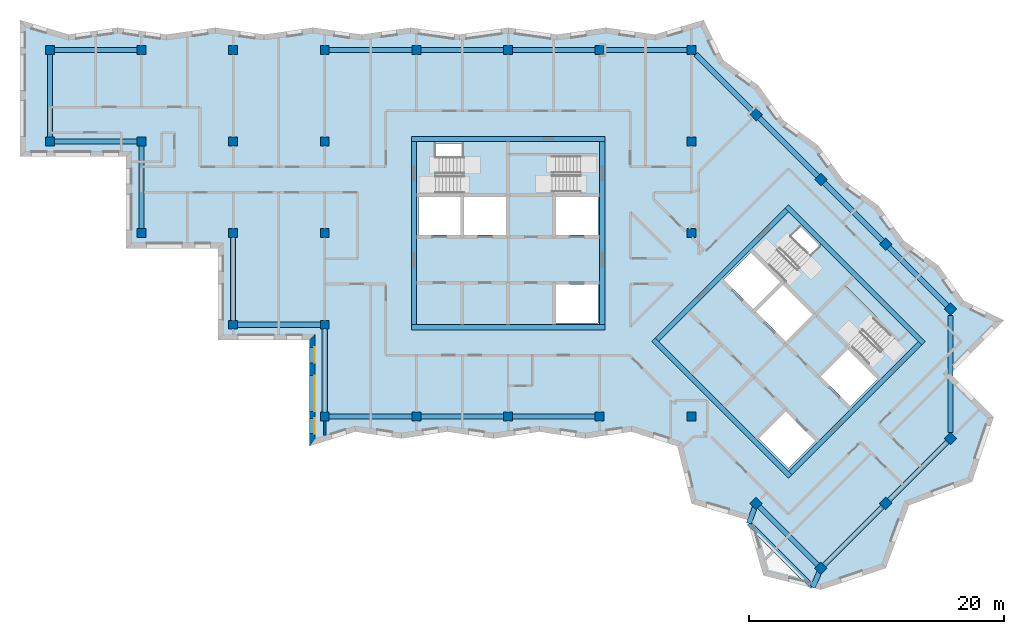
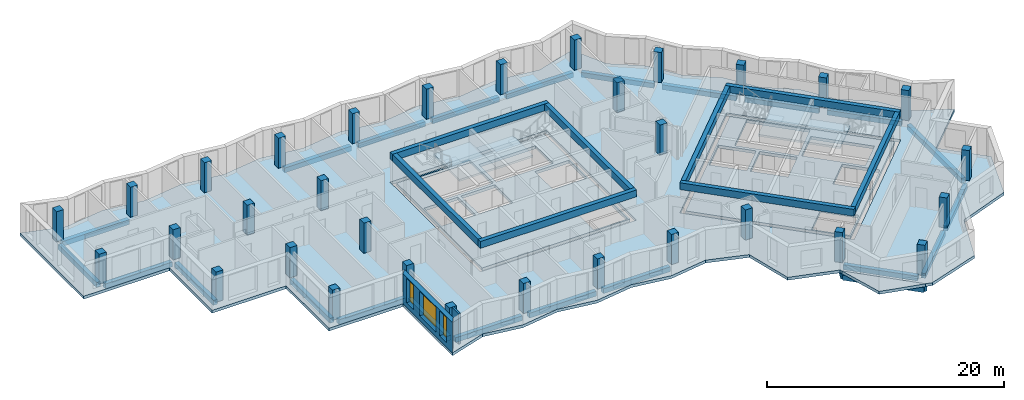
# One storey, part 1 of 11: 33 beams, 32 columns, 8 slabs, 3 windows, 2 walls, 17 openings, 4 elements without a shape of their own.
"""IFC4 building model written with IfcOpenShell, lengths in metres."""

from ifc_helpers import new_model, si_unit, direction, frame, frame_2d, origin, origin_2d, place, context, subcontext, project, spatial, polyline, rectangle, outline, extrude, material, layer, layer_set, material_profile, profile_set, type_object, element, fill, aggregate, save


model = new_model("IFC4")

# Units and contexts
model_context = context("Model", 3, precision=1e-05, world=origin(), true_north=direction((0.0, 1.0)))
body_context = subcontext(model_context, "Body", "Model", "MODEL_VIEW")
ifc_project = project(units=[si_unit("LENGTHUNIT", "METRE"), si_unit("AREAUNIT", "SQUARE_METRE"), si_unit("VOLUMEUNIT", "CUBIC_METRE"), si_unit("PLANEANGLEUNIT", "RADIAN"), si_unit("MASSUNIT", "GRAM", prefix="KILO")], contexts=[model_context])

# Site, building, storey
site_placement = place(None, origin())
site = spatial("IfcSite", under=ifc_project, at=site_placement, CompositionType="ELEMENT")
building_placement = place(site_placement, origin())
building = spatial("IfcBuilding", under=site, at=building_placement, Name="Windrow Commons", CompositionType="ELEMENT")
storey_placement = place(building_placement, frame((0.0, 0.0, 271.0)))
storey = spatial("IfcBuildingStorey", under=building, at=storey_placement, Name="L74", CompositionType="ELEMENT", Elevation=271.0)

# Columns
ifc_material_1 = material(Name="Concrete C40/50", Category="concrete")
ifc_material_profile_1 = material_profile(ifc_material_1, rectangle(XDim=0.7, YDim=0.7, at=origin_2d()))
ifc_profile_set_1 = profile_set([ifc_material_profile_1], Name="Concrete C40/50")
column_type = type_object("IfcColumnType", Name="RC COLUMN 700x700 C40/50", PredefinedType="COLUMN", material=ifc_profile_set_1)
for number, where, z_axis, x_axis, name in (
    (1, (28.8, 64.8, 0.0), (0.0, 0.0, 1.0), (1.0, 0.0, 0.0), "C-Z5-05I"),
    (2, (28.8, 72.0, 0.0), (0.0, 0.0, 1.0), (1.0, 0.0, 0.0), "C-Z5-05J"),
    (3, (36.0, 57.6, 0.0), (0.0, 0.0, 1.0), (1.0, 0.0, 0.0), "C-Z5-06H"),
    (4, (36.0, 64.8, 0.0), (0.0, 0.0, 1.0), (1.0, 0.0, 0.0), "C-Z5-06I"),
    (5, (36.0, 72.0, 0.0), (0.0, 0.0, 1.0), (1.0, 0.0, 0.0), "C-Z5-06J"),
    (6, (43.2, 50.4, 0.0), (0.0, 0.0, 1.0), (1.0, 0.0, 0.0), "C-Z5-07G"),
    (7, (43.2, 57.6, 0.0), (0.0, 0.0, 1.0), (1.0, 0.0, 0.0), "C-Z5-07H"),
    (8, (43.2, 64.8, 0.0), (0.0, 0.0, 1.0), (1.0, 0.0, 0.0), "C-Z5-07I"),
    (9, (43.2, 72.0, 0.0), (0.0, 0.0, 1.0), (1.0, 0.0, 0.0), "C-Z5-07J"),
    (10, (50.4, 43.2, 0.0), (0.0, 0.0, 1.0), (1.0, 0.0, 0.0), "C-Z5-08F"),
    (11, (50.4, 50.4, 0.0), (0.0, 0.0, 1.0), (1.0, 0.0, 0.0), "C-Z5-08G"),
    (12, (50.4, 57.6, 0.0), (0.0, 0.0, 1.0), (1.0, 0.0, 0.0), "C-Z5-08H"),
    (13, (50.4, 64.8, 0.0), (0.0, 0.0, 1.0), (1.0, 0.0, 0.0), "C-Z5-08I"),
    (14, (50.4, 72.0, 0.0), (0.0, 0.0, 1.0), (1.0, 0.0, 0.0), "C-Z5-08J"),
    (15, (57.6, 43.2, 0.0), (0.0, 0.0, 1.0), (1.0, 0.0, 0.0), "C-Z5-09F"),
    (16, (57.6, 72.0, 0.0), (0.0, 0.0, 1.0), (1.0, 0.0, 0.0), "C-Z5-09J"),
    (17, (64.8, 43.2, 0.0), (0.0, 0.0, 1.0), (1.0, 0.0, 0.0), "C-Z5-10F"),
    (18, (64.8, 72.0, 0.0), (0.0, 0.0, 1.0), (1.0, 0.0, 0.0), "C-Z5-10J"),
    (19, (72.0, 43.2, 0.0), (0.0, 0.0, 1.0), (1.0, 0.0, 0.0), "C-Z5-11F"),
    (20, (72.0, 72.0, 0.0), (0.0, 0.0, 1.0), (1.0, 0.0, 0.0), "C-Z5-11J"),
    (21, (79.2, 43.2, 0.0), (0.0, 0.0, 1.0), (1.0, 0.0, 0.0), "C-Z5-12F"),
    (22, (79.2, 57.6, 0.0), (0.0, 0.0, 1.0), (1.0, 0.0, 0.0), "C-Z5-12H"),
    (23, (79.2, 64.8, 0.0), (0.0, 0.0, 1.0), (1.0, 0.0, 0.0), "C-Z5-12I"),
    (24, (79.2, 72.0, 0.0), (0.0, 0.0, 1.0), (1.0, 0.0, 0.0), "C-Z5-12J"),
    (25, (84.2912, 66.9088, 0.0), (0.0, 0.0, 1.0), (0.7071067812, -0.7071067812, 0.0), "C-Z5-P2Q"),
    (26, (89.3823, 61.8177, 0.0), (0.0, 0.0, 1.0), (0.7071067812, -0.7071067812, 0.0), "C-Z5-P3Q"),
    (27, (94.4735, 56.7265, 0.0), (0.0, 0.0, 1.0), (0.7071067812, -0.7071067812, 0.0), "C-Z5-P4Q"),
    (28, (99.5647, 51.6353, 0.0), (0.0, 0.0, 1.0), (0.7071067812, -0.7071067812, 0.0), "C-Z5-P5Q"),
    (29, (84.2912, 36.3618, 0.0), (0.0, 0.0, 1.0), (0.7071067812, -0.7071067812, 0.0), "C-Z5-P5T"),
    (30, (99.5647, 41.453, 0.0), (0.0, 0.0, 1.0), (0.7071067812, -0.7071067812, 0.0), "C-Z5-P6R"),
    (31, (94.4735, 36.3618, 0.0), (0.0, 0.0, 1.0), (0.7071067812, -0.7071067812, 0.0), "C-Z5-P6S"),
    (32, (89.3823, 31.2706, 0.0), (0.0, 0.0, 1.0), (0.7071067812, -0.7071067812, 0.0), "C-Z5-P6T"),
):
    element("IfcColumn", number, at=place(storey_placement, frame(where, z_axis=z_axis, x_axis=x_axis)), inside=storey, type_object=column_type, Name=name, PredefinedType="COLUMN", context=body_context, shape_type="SweptSolid", body=[
        extrude(rectangle(XDim=0.7, YDim=0.7, at=origin_2d()), origin(), (0.0, 0.0, 1.0), 3.1),
    ])

# Beams
ifc_material_2 = material(Name="Concrete C40/50", Category="concrete")
ifc_material_profile_2 = material_profile(ifc_material_2, rectangle(XDim=0.4, YDim=0.7, at=origin_2d()))
ifc_profile_set_2 = profile_set([ifc_material_profile_2], Name="Concrete C40/50")
beam_type_1 = type_object("IfcBeamType", Name="RC COUPLING BEAM 400x700 C40/50", PredefinedType="LINTEL", material=ifc_profile_set_2)
for number, where, z_axis, x_axis, name in (
    (33, (57.2, 50.2, 2.75), (1.0, 0.0, 0.0), (0.0, 1.0, 0.0), "Core A coupling beam outer-S"),
    (34, (57.2, 65.0, 2.75), (1.0, 0.0, 0.0), (0.0, 1.0, 0.0), "Core A coupling beam outer-N"),
):
    element("IfcBeam", number, at=place(storey_placement, frame(where, z_axis=z_axis, x_axis=x_axis)), inside=storey, type_object=beam_type_1, Name=name, PredefinedType="LINTEL", context=body_context, shape_type="SweptSolid", body=[
        extrude(rectangle(XDim=0.4, YDim=0.7, at=origin_2d()), origin(), (0.0, 0.0, 1.0), 15.2),
    ])
for number, where, z_axis, x_axis, name in (
    (35, (57.4, 50.4, 2.75), (0.0, 1.0, 0.0), (-1.0, 0.0, 0.0), "Core A coupling beam outer-W"),
    (36, (72.2, 50.4, 2.75), (0.0, 1.0, 0.0), (-1.0, 0.0, 0.0), "Core A coupling beam outer-E"),
):
    element("IfcBeam", number, at=place(storey_placement, frame(where, z_axis=z_axis, x_axis=x_axis)), inside=storey, type_object=beam_type_1, Name=name, PredefinedType="LINTEL", context=body_context, shape_type="SweptSolid", body=[
        extrude(rectangle(XDim=0.4, YDim=0.7, at=origin_2d()), origin(), (0.0, 0.0, 1.0), 14.4),
    ])
for number, where, z_axis, x_axis, name in (
    (37, (76.2302, 49.2312, 2.75), (0.7071034917, -0.7071100706, 0.0), (0.7071100706, 0.7071034917, 0.0), "Core B coupling beam outer-S"),
    (38, (86.6953, 59.6963, 2.75), (0.7071100706, -0.7071034917, 0.0), (0.7071034917, 0.7071100706, 0.0), "Core B coupling beam outer-N"),
):
    element("IfcBeam", number, at=place(storey_placement, frame(where, z_axis=z_axis, x_axis=x_axis)), inside=storey, type_object=beam_type_1, Name=name, PredefinedType="LINTEL", context=body_context, shape_type="SweptSolid", body=[
        extrude(rectangle(XDim=0.4, YDim=0.7, at=origin_2d()), origin(), (0.0, 0.0, 1.0), 15.2),
    ])
for number, where, z_axis, x_axis, name in (
    (39, (76.513, 49.2312, 2.75), (0.7071067812, 0.7071067812, 0.0), (-0.7071067812, 0.7071067812, 0.0), "Core B coupling beam outer-W"),
    (40, (86.9782, 38.766, 2.75), (0.7071067812, 0.7071067812, 0.0), (-0.7071067812, 0.7071067812, 0.0), "Core B coupling beam outer-E"),
):
    element("IfcBeam", number, at=place(storey_placement, frame(where, z_axis=z_axis, x_axis=x_axis)), inside=storey, type_object=beam_type_1, Name=name, PredefinedType="LINTEL", context=body_context, shape_type="SweptSolid", body=[
        extrude(rectangle(XDim=0.4, YDim=0.7, at=origin_2d()), origin(), (0.0, 0.0, 1.0), 14.3999),
    ])
ifc_material_3 = material(Name="Concrete C40/50", Category="concrete")
ifc_material_profile_3 = material_profile(ifc_material_3, rectangle(XDim=0.4, YDim=0.5, at=origin_2d()))
ifc_profile_set_3 = profile_set([ifc_material_profile_3], Name="Concrete C40/50")
beam_type_2 = type_object("IfcBeamType", Name="RC EDGE BEAM 400x500 C40/50", PredefinedType="SPANDREL", material=ifc_profile_set_3)
beam_1_placement = place(storey_placement, frame((83.7269, 34.8047, -0.55), z_axis=(0.7071067812, -0.7071067812, 0.0), x_axis=(0.7071067812, 0.7071067812, 0.0)))
element("IfcBeam", 41, at=beam_1_placement, inside=storey, type_object=beam_type_2, Name="Terrace base beam TR-L74-1", PredefinedType="SPANDREL", context=body_context, shape_type="SweptSolid", body=[
    extrude(rectangle(XDim=0.4, YDim=0.5, at=origin_2d()), origin(), (0.0, 0.0, 1.0), 7.0992),
])
beam_2_placement = place(storey_placement, frame((84.1766, 36.0455, -0.55), z_axis=(-0.3407390499, -0.9401579122, 0.0), x_axis=(0.9401579122, -0.3407390499, 0.0)))
element("IfcBeam", 42, at=beam_2_placement, inside=storey, type_object=beam_type_2, Name="Terrace base bracket beam TR-L74-1.1", PredefinedType="SPANDREL", context=body_context, shape_type="SweptSolid", body=[
    extrude(rectangle(XDim=0.4, YDim=0.5, at=origin_2d()), origin(), (0.0, 0.0, 1.0), 1.3198),
])
beam_3_placement = place(storey_placement, frame((89.2537, 30.9699, -0.55), z_axis=(-0.3932637633, -0.9194256971, 0.0), x_axis=(0.9194256971, -0.3932637633, 0.0)))
element("IfcBeam", 43, at=beam_3_placement, inside=storey, type_object=beam_type_2, Name="Terrace base bracket beam TR-L74-1.2", PredefinedType="SPANDREL", context=body_context, shape_type="SweptSolid", body=[
    extrude(rectangle(XDim=0.4, YDim=0.5, at=origin_2d()), origin(), (0.0, 0.0, 1.0), 1.289),
])
for number, where, z_axis, x_axis, name in (
    (44, (57.25, 43.2, -0.55), (-1.0, 0.0, 0.0), (0.0, -1.0, 0.0), "Edge beam L74 001"),
    (45, (50.4, 43.55, -0.55), (0.0, 1.0, 0.0), (-1.0, 0.0, 0.0), "Edge beam L74 002"),
    (46, (50.05, 50.4, -0.55), (-1.0, 0.0, 0.0), (0.0, -1.0, 0.0), "Edge beam L74 003"),
):
    element("IfcBeam", number, at=place(storey_placement, frame(where, z_axis=z_axis, x_axis=x_axis)), inside=storey, type_object=beam_type_2, Name=name, PredefinedType="SPANDREL", context=body_context, shape_type="SweptSolid", body=[
        extrude(rectangle(XDim=0.4, YDim=0.5, at=origin_2d()), origin(), (0.0, 0.0, 1.0), 6.5),
    ])
beam_4_placement = place(storey_placement, frame((43.2, 50.75, -0.55), z_axis=(0.0, 1.0, 0.0), x_axis=(-1.0, 0.0, 0.0)))
element("IfcBeam", 47, at=beam_4_placement, inside=storey, type_object=beam_type_2, Name="Edge beam L74 004", PredefinedType="SPANDREL", context=body_context, shape_type="SweptSolid", body=[
    extrude(rectangle(XDim=0.4, YDim=0.5, at=origin_2d()), origin(), (0.0, 0.0, 1.0), 6.75),
])
for number, where, z_axis, x_axis, name in (
    (48, (36.0, 57.95, -0.55), (0.0, 1.0, 0.0), (-1.0, 0.0, 0.0), "Edge beam L74 006"),
    (49, (35.65, 64.8, -0.55), (-1.0, 0.0, 0.0), (0.0, -1.0, 0.0), "Edge beam L74 007"),
    (50, (28.8, 65.15, -0.55), (0.0, 1.0, 0.0), (-1.0, 0.0, 0.0), "Edge beam L74 008"),
    (51, (29.15, 72.0, -0.55), (1.0, 0.0, 0.0), (0.0, 1.0, 0.0), "Edge beam L74 009"),
    (52, (50.75, 72.0, -0.55), (1.0, 0.0, 0.0), (0.0, 1.0, 0.0), "Edge beam L74 012"),
    (53, (57.95, 72.0, -0.55), (1.0, 0.0, 0.0), (0.0, 1.0, 0.0), "Edge beam L74 013"),
    (54, (65.15, 72.0, -0.55), (1.0, 0.0, 0.0), (0.0, 1.0, 0.0), "Edge beam L74 014"),
    (55, (72.35, 72.0, -0.55), (1.0, 0.0, 0.0), (0.0, 1.0, 0.0), "Edge beam L74 015"),
):
    element("IfcBeam", number, at=place(storey_placement, frame(where, z_axis=z_axis, x_axis=x_axis)), inside=storey, type_object=beam_type_2, Name=name, PredefinedType="SPANDREL", context=body_context, shape_type="SweptSolid", body=[
        extrude(rectangle(XDim=0.4, YDim=0.5, at=origin_2d()), origin(), (0.0, 0.0, 1.0), 6.5),
    ])
beam_5_placement = place(storey_placement, frame((79.55, 71.65, -0.55), z_axis=(0.7071067812, -0.7071067812, 0.0), x_axis=(0.7071067812, 0.7071067812, 0.0)))
element("IfcBeam", 56, at=beam_5_placement, inside=storey, type_object=beam_type_2, Name="Edge beam L74 016", PredefinedType="SPANDREL", context=body_context, shape_type="SweptSolid", body=[
    extrude(rectangle(XDim=0.4, YDim=0.5, at=origin_2d()), origin(), (0.0, 0.0, 1.0), 6.3551),
])
beam_6_placement = place(storey_placement, frame((84.5387, 66.6613, -0.55), z_axis=(0.7071067812, -0.7071067812, 0.0), x_axis=(0.7071067812, 0.7071067812, 0.0)))
element("IfcBeam", 57, at=beam_6_placement, inside=storey, type_object=beam_type_2, Name="Edge beam L74 017", PredefinedType="SPANDREL", context=body_context, shape_type="SweptSolid", body=[
    extrude(rectangle(XDim=0.4, YDim=0.5, at=origin_2d()), origin(), (0.0, 0.0, 1.0), 6.4999),
])
for number, where, z_axis, x_axis, name in (
    (58, (89.6298, 61.5702, -0.55), (0.7071067812, -0.7071067812, 0.0), (0.7071067812, 0.7071067812, 0.0), "Edge beam L74 018"),
    (59, (94.721, 56.479, -0.55), (0.7071067812, -0.7071067812, 0.0), (0.7071067812, 0.7071067812, 0.0), "Edge beam L74 019"),
):
    element("IfcBeam", number, at=place(storey_placement, frame(where, z_axis=z_axis, x_axis=x_axis)), inside=storey, type_object=beam_type_2, Name=name, PredefinedType="SPANDREL", context=body_context, shape_type="SweptSolid", body=[
        extrude(rectangle(XDim=0.4, YDim=0.5, at=origin_2d()), origin(), (0.0, 0.0, 1.0), 6.5),
    ])
beam_7_placement = place(storey_placement, frame((99.5647, 51.1403, -0.55), z_axis=(0.0, -1.0, 0.0), x_axis=(1.0, 0.0, 0.0)))
element("IfcBeam", 60, at=beam_7_placement, inside=storey, type_object=beam_type_2, Name="Edge beam L74 020", PredefinedType="SPANDREL", context=body_context, shape_type="SweptSolid", body=[
    extrude(rectangle(XDim=0.4, YDim=0.5, at=origin_2d()), origin(), (0.0, 0.0, 1.0), 9.1923),
])
for number, where, z_axis, x_axis, name in (
    (61, (99.3172, 41.2055, -0.55), (-0.7071067812, -0.7071067812, 0.0), (0.7071067812, -0.7071067812, 0.0), "Edge beam L74 021"),
    (62, (94.226, 36.1143, -0.55), (-0.7071067812, -0.7071067812, 0.0), (0.7071067812, -0.7071067812, 0.0), "Edge beam L74 022"),
):
    element("IfcBeam", number, at=place(storey_placement, frame(where, z_axis=z_axis, x_axis=x_axis)), inside=storey, type_object=beam_type_2, Name=name, PredefinedType="SPANDREL", context=body_context, shape_type="SweptSolid", body=[
        extrude(rectangle(XDim=0.4, YDim=0.5, at=origin_2d()), origin(), (0.0, 0.0, 1.0), 6.5),
    ])
beam_8_placement = place(storey_placement, frame((89.1348, 31.5181, -0.55), z_axis=(-0.7070990888, 0.7071144735, 0.0), x_axis=(-0.7071144735, -0.7070990888, 0.0)))
element("IfcBeam", 63, at=beam_8_placement, inside=storey, type_object=beam_type_2, Name="Edge beam L74 023", PredefinedType="SPANDREL", context=body_context, shape_type="SweptSolid", body=[
    extrude(rectangle(XDim=0.4, YDim=0.5, at=origin_2d()), origin(), (0.0, 0.0, 1.0), 6.4999),
])
for number, where, z_axis, x_axis, name in (
    (64, (71.65, 43.2, -0.55), (-1.0, 0.0, 0.0), (0.0, -1.0, 0.0), "Edge beam L74 024"),
    (65, (64.45, 43.2, -0.55), (-1.0, 0.0, 0.0), (0.0, -1.0, 0.0), "Edge beam L74 025"),
):
    element("IfcBeam", number, at=place(storey_placement, frame(where, z_axis=z_axis, x_axis=x_axis)), inside=storey, type_object=beam_type_2, Name=name, PredefinedType="SPANDREL", context=body_context, shape_type="SweptSolid", body=[
        extrude(rectangle(XDim=0.4, YDim=0.5, at=origin_2d()), origin(), (0.0, 0.0, 1.0), 6.5),
    ])

# Slab, openings
ifc_material_4 = material(Name="Concrete C40/50", Category="concrete")
ifc_layer_1 = layer(ifc_material_4, 0.3)
ifc_layer_set_1 = layer_set([ifc_layer_1], Name="CORE FLOOR SLAB 300 C40/50")
slab_type_1 = type_object("IfcSlabType", Name="CORE FLOOR SLAB 300 C40/50", PredefinedType="FLOOR", material=ifc_layer_set_1)
placement_1 = place(storey_placement, frame((0.0, 0.0, -0.3)))
slab_1 = element("IfcSlab", 66, at=placement_1, inside=storey, type_object=slab_type_1, Name="S-L74-core-A", PredefinedType="FLOOR", context=body_context, shape_type="SweptSolid", body=[
    extrude(outline(polyline([(57.6, 50.4), (72.0, 50.4), (72.0, 64.8), (57.6, 64.8), (57.6, 50.4)]), holes=[polyline([(68.55, 50.55), (71.85, 50.55), (71.85, 53.55), (68.55, 53.55), (68.55, 50.55)]), polyline([(57.75, 57.45), (61.05, 57.45), (61.05, 60.45), (57.75, 60.45), (57.75, 57.45)]), polyline([(61.35, 57.45), (64.65, 57.45), (64.65, 60.45), (61.35, 60.45), (61.35, 57.45)]), polyline([(68.55, 57.45), (71.85, 57.45), (71.85, 60.45), (68.55, 60.45), (68.55, 57.45)]), polyline([(59.1, 60.75), (64.65, 60.75), (64.65, 64.65), (59.1, 64.65), (59.1, 60.75)]), polyline([(64.95, 60.75), (70.5, 60.75), (70.5, 63.705), (64.95, 63.705), (64.95, 60.75)])]), origin(), (0.0, 0.0, 1.0), 0.3),
])
opening_1_placement = place(placement_1, origin())
element("IfcOpeningElement", 67, at=opening_1_placement, cuts=slab_1, Name="Slab opening S-L74-core-A 1", PredefinedType="OPENING", context=body_context, shape_type="SweptSolid", body=[
    extrude(outline(polyline([(68.555, 50.555), (68.555, 53.545), (71.845, 53.545), (71.845, 50.555), (68.555, 50.555)])), origin(), (0.0, 0.0, 1.0), 0.3),
])
opening_2_placement = place(placement_1, origin())
element("IfcOpeningElement", 68, at=opening_2_placement, cuts=slab_1, Name="Slab opening S-L74-core-A 2", PredefinedType="OPENING", context=body_context, shape_type="SweptSolid", body=[
    extrude(outline(polyline([(57.755, 57.455), (57.755, 60.445), (61.045, 60.445), (61.045, 57.455), (57.755, 57.455)])), origin(), (0.0, 0.0, 1.0), 0.3),
])
opening_3_placement = place(placement_1, origin())
element("IfcOpeningElement", 69, at=opening_3_placement, cuts=slab_1, Name="Slab opening S-L74-core-A 3", PredefinedType="OPENING", context=body_context, shape_type="SweptSolid", body=[
    extrude(outline(polyline([(61.355, 57.455), (61.355, 60.445), (64.645, 60.445), (64.645, 57.455), (61.355, 57.455)])), origin(), (0.0, 0.0, 1.0), 0.3),
])
opening_4_placement = place(placement_1, origin())
element("IfcOpeningElement", 70, at=opening_4_placement, cuts=slab_1, Name="Slab opening S-L74-core-A 4", PredefinedType="OPENING", context=body_context, shape_type="SweptSolid", body=[
    extrude(outline(polyline([(68.555, 57.455), (68.555, 60.445), (71.845, 60.445), (71.845, 57.455), (68.555, 57.455)])), origin(), (0.0, 0.0, 1.0), 0.3),
])
opening_5_placement = place(placement_1, origin())
element("IfcOpeningElement", 71, at=opening_5_placement, cuts=slab_1, Name="Slab opening S-L74-core-A 5", PredefinedType="OPENING", context=body_context, shape_type="SweptSolid", body=[
    extrude(outline(polyline([(59.105, 60.755), (59.105, 64.645), (64.645, 64.645), (64.645, 60.755), (59.105, 60.755)])), origin(), (0.0, 0.0, 1.0), 0.3),
])
opening_6_placement = place(placement_1, origin())
element("IfcOpeningElement", 72, at=opening_6_placement, cuts=slab_1, Name="Slab opening S-L74-core-A 6", PredefinedType="OPENING", context=body_context, shape_type="SweptSolid", body=[
    extrude(outline(polyline([(64.955, 60.755), (64.955, 63.7), (70.495, 63.7), (70.495, 60.755), (64.955, 60.755)])), origin(), (0.0, 0.0, 1.0), 0.3),
])

slab_2 = element("IfcSlab", 73, at=placement_1, inside=storey, type_object=slab_type_1, Name="S-L74-core-B", PredefinedType="FLOOR", context=body_context, shape_type="SweptSolid", body=[
    extrude(outline(polyline([(76.6544, 49.0897), (86.8368, 38.9074), (97.0191, 49.0897), (86.8368, 59.2721), (76.6544, 49.0897)]), holes=[polyline([(84.5033, 41.453), (86.8368, 39.1195), (88.9581, 41.2409), (86.6246, 43.5743), (84.5033, 41.453)]), polyline([(81.7456, 53.9688), (84.079, 51.6353), (86.2004, 53.7566), (83.8669, 56.0901), (81.7456, 53.9688)]), polyline([(84.2912, 51.4232), (86.6246, 49.0897), (88.7459, 51.2111), (86.4125, 53.5445), (84.2912, 51.4232)]), polyline([(89.3823, 46.332), (91.7158, 43.9986), (93.8371, 46.1199), (91.5037, 48.4533), (89.3823, 46.332)]), polyline([(85.0336, 55.3476), (88.9581, 51.4232), (91.7158, 54.1809), (87.7913, 58.1054), (85.0336, 55.3476)]), polyline([(89.1702, 51.2111), (93.0946, 47.2866), (95.1841, 49.3761), (91.2597, 53.3006), (89.1702, 51.2111)])]), origin(), (0.0, 0.0, 1.0), 0.3),
])
opening_7_placement = place(placement_1, origin())
element("IfcOpeningElement", 74, at=opening_7_placement, cuts=slab_2, Name="Slab opening S-L74-core-B 1", PredefinedType="OPENING", context=body_context, shape_type="SweptSolid", body=[
    extrude(outline(polyline([(84.5104, 41.453), (86.6246, 43.5672), (88.951, 41.2409), (86.8368, 39.1266), (84.5104, 41.453)])), origin(), (0.0, 0.0, 1.0), 0.3),
])
opening_8_placement = place(placement_1, origin())
element("IfcOpeningElement", 75, at=opening_8_placement, cuts=slab_2, Name="Slab opening S-L74-core-B 2", PredefinedType="OPENING", context=body_context, shape_type="SweptSolid", body=[
    extrude(outline(polyline([(81.7527, 53.9688), (83.8669, 56.083), (86.1933, 53.7566), (84.079, 51.6424), (81.7527, 53.9688)])), origin(), (0.0, 0.0, 1.0), 0.3),
])
opening_9_placement = place(placement_1, origin())
element("IfcOpeningElement", 76, at=opening_9_placement, cuts=slab_2, Name="Slab opening S-L74-core-B 3", PredefinedType="OPENING", context=body_context, shape_type="SweptSolid", body=[
    extrude(outline(polyline([(84.2983, 51.4232), (86.4125, 53.5374), (88.7388, 51.2111), (86.6246, 49.0968), (84.2983, 51.4232)])), origin(), (0.0, 0.0, 1.0), 0.3),
])
opening_10_placement = place(placement_1, origin())
element("IfcOpeningElement", 77, at=opening_10_placement, cuts=slab_2, Name="Slab opening S-L74-core-B 4", PredefinedType="OPENING", context=body_context, shape_type="SweptSolid", body=[
    extrude(outline(polyline([(89.3894, 46.332), (91.5037, 48.4462), (93.83, 46.1199), (91.7158, 44.0057), (89.3894, 46.332)])), origin(), (0.0, 0.0, 1.0), 0.3),
])
opening_11_placement = place(placement_1, origin())
element("IfcOpeningElement", 78, at=opening_11_placement, cuts=slab_2, Name="Slab opening S-L74-core-B 5", PredefinedType="OPENING", context=body_context, shape_type="SweptSolid", body=[
    extrude(outline(polyline([(85.0407, 55.3476), (87.7913, 58.0983), (91.7087, 54.1809), (88.9581, 51.4303), (85.0407, 55.3476)])), origin(), (0.0, 0.0, 1.0), 0.3),
])
opening_12_placement = place(placement_1, origin())
element("IfcOpeningElement", 79, at=opening_12_placement, cuts=slab_2, Name="Slab opening S-L74-core-B 6", PredefinedType="OPENING", context=body_context, shape_type="SweptSolid", body=[
    extrude(outline(polyline([(89.1773, 51.2111), (91.2597, 53.2935), (95.177, 49.3761), (93.0946, 47.2937), (89.1773, 51.2111)])), origin(), (0.0, 0.0, 1.0), 0.3),
])

# Stair, slab
ifc_material_5 = material(Name="Concrete C40/50", Category="concrete")
stair_type = type_object("IfcStairType", Name="Core stair", PredefinedType="HALF_TURN_STAIR", material=ifc_material_5)
placement_2 = place(storey_placement, origin())
stair_1 = element("IfcStair", 80, at=placement_2, inside=storey, type_object=stair_type, Name="L74 Exit stair A1 core A", PredefinedType="HALF_TURN_STAIR")
ifc_material_6 = material(Name="Concrete C40/50", Category="concrete")
ifc_layer_2 = layer(ifc_material_6, 0.2)
ifc_layer_set_2 = layer_set([ifc_layer_2], Name="Core stair landing")
slab_type_2 = type_object("IfcSlabType", Name="Core stair landing", PredefinedType="LANDING", material=ifc_layer_set_2)
placement_3 = place(storey_placement, frame((0.0, 0.0, 1.5)))
slab_3 = element("IfcSlab", 81, at=placement_3, type_object=slab_type_2, Name="ST-A1 landing 1", PredefinedType="LANDING", context=body_context, shape_type="SweptSolid", body=[
    extrude(outline(polyline([(61.22, 60.5), (64.8, 60.5), (64.8, 64.9), (61.22, 64.9), (61.22, 60.5)])), origin(), (0.0, 0.0, 1.0), 0.2),
])
aggregate(stair_1, [slab_3])

stair_2 = element("IfcStair", 82, at=placement_2, inside=storey, type_object=stair_type, Name="L74 Exit stair A2 core A", PredefinedType="HALF_TURN_STAIR")
slab_4 = element("IfcSlab", 83, at=placement_3, type_object=slab_type_2, Name="ST-A2 landing 1", PredefinedType="LANDING", context=body_context, shape_type="SweptSolid", body=[
    extrude(outline(polyline([(64.8, 60.5), (68.38, 60.5), (68.38, 63.855), (64.8, 63.855), (64.8, 60.5)])), origin(), (0.0, 0.0, 1.0), 0.2),
])
aggregate(stair_2, [slab_4])

stair_3 = element("IfcStair", 84, at=placement_2, inside=storey, type_object=stair_type, Name="L74 Exit stair B1 core B", PredefinedType="HALF_TURN_STAIR")
slab_5 = element("IfcSlab", 85, at=placement_3, type_object=slab_type_2, Name="ST-B1 landing 1", PredefinedType="LANDING", context=body_context, shape_type="SweptSolid", body=[
    extrude(outline(polyline([(86.3559, 53.6718), (88.8874, 51.1403), (91.9986, 54.2516), (89.4672, 56.7831), (86.3559, 53.6718)])), origin(), (0.0, 0.0, 1.0), 0.2),
])
aggregate(stair_3, [slab_5])

stair_4 = element("IfcStair", 86, at=placement_2, inside=storey, type_object=stair_type, Name="L74 Exit stair B2 core B", PredefinedType="HALF_TURN_STAIR")
slab_6 = element("IfcSlab", 87, at=placement_3, type_object=slab_type_2, Name="ST-B2 landing 1", PredefinedType="LANDING", context=body_context, shape_type="SweptSolid", body=[
    extrude(outline(polyline([(88.8874, 51.1403), (91.4188, 48.6089), (93.7911, 50.9812), (91.2597, 53.5127), (88.8874, 51.1403)])), origin(), (0.0, 0.0, 1.0), 0.2),
])
aggregate(stair_4, [slab_6])

# Slab, openings
ifc_material_7 = material(Name="Concrete C40/50", Category="concrete")
ifc_layer_3 = layer(ifc_material_7, 0.3)
ifc_layer_set_3 = layer_set([ifc_layer_3], Name="FLOOR SLAB 300 C40/50")
slab_type_3 = type_object("IfcSlabType", Name="FLOOR SLAB 300 C40/50", PredefinedType="FLOOR", material=ifc_layer_set_3)
slab_7 = element("IfcSlab", 88, at=placement_1, inside=storey, type_object=slab_type_3, Name="S-L74-floor", PredefinedType="FLOOR", context=body_context, shape_type="SweptSolid", body=[
    extrude(outline(polyline([(83.6562, 34.8754), (88.8175, 29.7141), (89.3823, 29.5736), (94.4735, 31.2706), (96.312, 36.2204), (101.2617, 38.0588), (102.9588, 43.15), (99.5647, 46.5442), (103.7663, 50.7458), (100.5992, 52.2979), (98.6228, 55.0408), (95.8799, 57.0172), (93.9036, 59.76), (91.1607, 61.7364), (89.1843, 64.4793), (86.4415, 66.4556), (84.4651, 69.1985), (81.7222, 71.1749), (80.1701, 74.342), (76.3336, 73.2), (72.497, 73.742), (68.6604, 73.2), (64.8238, 73.742), (60.9872, 73.2), (57.1506, 73.742), (53.3141, 73.2), (49.4775, 73.742), (45.6409, 73.2), (41.8043, 73.742), (37.9677, 73.2), (34.1312, 73.742), (30.2946, 73.2), (26.458, 74.342), (26.458, 63.6), (34.8, 63.6), (34.8, 56.4), (42.0, 56.4), (42.0, 49.2), (49.2, 49.2), (49.2, 40.858), (52.8122, 42.0), (56.4245, 41.458), (60.0367, 42.0), (63.649, 41.458), (67.2612, 42.0), (70.8734, 41.458), (74.4857, 42.0), (78.0979, 40.858), (79.2219, 36.3398), (83.5987, 35.0744), (83.6562, 34.8754)]), holes=[polyline([(76.0887, 49.0897), (86.8368, 59.8378), (97.5848, 49.0897), (86.8368, 38.3417), (76.0887, 49.0897)]), polyline([(57.2, 50.0), (57.2, 65.2), (72.4, 65.2), (72.4, 50.0), (57.2, 50.0)])]), origin(), (0.0, 0.0, 1.0), 0.3),
])
opening_13_placement = place(placement_1, origin())
element("IfcOpeningElement", 89, at=opening_13_placement, cuts=slab_7, Name="Slab opening S-L74-floor 1", PredefinedType="OPENING", context=body_context, shape_type="SweptSolid", body=[
    extrude(outline(polyline([(76.0958, 49.0897), (86.8368, 59.8307), (97.5777, 49.0897), (86.8368, 38.3488), (76.0958, 49.0897)])), origin(), (0.0, 0.0, 1.0), 0.3),
])
opening_14_placement = place(placement_1, origin())
element("IfcOpeningElement", 90, at=opening_14_placement, cuts=slab_7, Name="Slab opening S-L74-floor 2", PredefinedType="OPENING", context=body_context, shape_type="SweptSolid", body=[
    extrude(outline(polyline([(57.205, 50.005), (57.205, 65.195), (72.395, 65.195), (72.395, 50.005), (57.205, 50.005)])), origin(), (0.0, 0.0, 1.0), 0.3),
])

# Slab
ifc_material_8 = material(Name="Concrete C40/50", Category="concrete")
ifc_layer_4 = layer(ifc_material_8, 0.3)
ifc_layer_set_4 = layer_set([ifc_layer_4], Name="TERRACE SLAB 300 C40/50")
slab_type_4 = type_object("IfcSlabType", Name="TERRACE SLAB 300 C40/50", PredefinedType="FLOOR", material=ifc_layer_set_4)
element("IfcSlab", 91, at=placement_1, inside=storey, type_object=slab_type_4, Name="Terrace slab TR-L74-1", PredefinedType="FLOOR", context=body_context, shape_type="SweptSolid", body=[
    extrude(outline(polyline([(83.6564, 34.8747), (84.7191, 31.1991), (84.8232, 30.8391), (84.8236, 30.8393), (84.8645, 30.698), (85.3398, 30.5797), (87.3075, 30.0902), (87.3074, 30.0898), (88.8168, 29.7143), (83.6564, 34.8747)])), origin(), (0.0, 0.0, 1.0), 0.3),
])

# Wall, openings, windows
ifc_material_9 = material(Name="Brick masonry, red clay brick", Category="masonry")
ifc_layer_5 = layer(ifc_material_9, 0.45)
ifc_layer_set_5 = layer_set([ifc_layer_5], Name="Brick facade wall 450")
wall_type_1 = type_object("IfcWallType", Name="Brick facade wall 450", PredefinedType="SOLIDWALL", material=ifc_layer_set_5)
wall_1_placement = place(storey_placement, frame((49.425, 49.425, 0.0), z_axis=(0.0, 0.0, 1.0), x_axis=(0.0, -1.0, 0.0)))
wall_1 = element("IfcWall", 92, at=wall_1_placement, inside=storey, type_object=wall_type_1, Name="Brick facade wall L74 37", PredefinedType="SOLIDWALL", context=body_context, shape_type="SweptSolid", body=[
    extrude(outline(polyline([(0.225, -0.225), (8.567, -0.225), (7.9528, 0.225), (-0.225, 0.225), (0.225, -0.225)])), origin(), (0.0, 0.0, 1.0), 3.1),
])
opening_15_placement = place(wall_1_placement, frame((3.025, 0.0, 0.45)))
opening_15 = element("IfcOpeningElement", 93, at=opening_15_placement, cuts=wall_1, Name="Opening W1V", PredefinedType="OPENING", context=body_context, shape_type="SweptSolid", body=[
    extrude(rectangle(XDim=2.8, YDim=2.55, at=frame_2d((1.4, 1.275))), frame((0.0, 0.235, 0.0), z_axis=(0.0, -1.0, 0.0), x_axis=(1.0, 0.0, 0.0)), (0.0, 0.0, 1.0), 0.47),
])
opening_16_placement = place(wall_1_placement, frame((0.8125, 0.0, 0.45)))
opening_16 = element("IfcOpeningElement", 94, at=opening_16_placement, cuts=wall_1, Name="Opening W7F", PredefinedType="OPENING", context=body_context, shape_type="SweptSolid", body=[
    extrude(rectangle(XDim=1.2, YDim=2.55, at=frame_2d((0.6, 1.275))), frame((0.0, 0.235, 0.0), z_axis=(0.0, -1.0, 0.0), x_axis=(1.0, 0.0, 0.0)), (0.0, 0.0, 1.0), 0.47),
])
opening_17_placement = place(wall_1_placement, frame((6.3889, 0.0, 0.45)))
opening_17 = element("IfcOpeningElement", 95, at=opening_17_placement, cuts=wall_1, Name="Opening W7F", PredefinedType="OPENING", context=body_context, shape_type="SweptSolid", body=[
    extrude(rectangle(XDim=1.2, YDim=2.55, at=frame_2d((0.6, 1.275))), frame((0.0, 0.235, 0.0), z_axis=(0.0, -1.0, 0.0), x_axis=(1.0, 0.0, 0.0)), (0.0, 0.0, 1.0), 0.47),
])
ifc_material_10 = material(Name="Clear float glass in anodised aluminium frame", Category="aluminium")
window_type_1 = type_object("IfcWindowType", Name="Window W1V bedroom 2800x2550", PartitioningType="SINGLE_PANEL", PredefinedType="WINDOW", material=ifc_material_10)
window_1_placement = place(opening_15_placement, origin())
window_1 = element("IfcWindow", 96, at=window_1_placement, inside=storey, type_object=window_type_1, Name="Window L74 37.1", OverallHeight=2.55, OverallWidth=2.8, PartitioningType="SINGLE_PANEL", PredefinedType="WINDOW", context=body_context, shape_type="SweptSolid", body=[
    extrude(rectangle(XDim=2.8, YDim=2.55, at=frame_2d((1.4, 1.275))), frame((0.0, 0.205, 0.0), z_axis=(0.0, -1.0, 0.0), x_axis=(1.0, 0.0, 0.0)), (0.0, 0.0, 1.0), 0.06),
])
fill(opening_15, window_1)
ifc_material_11 = material(Name="Clear float glass in anodised aluminium frame", Category="aluminium")
window_type_2 = type_object("IfcWindowType", Name="Window W7 notch 1200x2550", PartitioningType="SINGLE_PANEL", PredefinedType="WINDOW", material=ifc_material_11)
window_2_placement = place(opening_16_placement, origin())
window_2 = element("IfcWindow", 97, at=window_2_placement, inside=storey, type_object=window_type_2, Name="Window L74 37.2", OverallHeight=2.55, OverallWidth=1.2, PartitioningType="SINGLE_PANEL", PredefinedType="WINDOW", context=body_context, shape_type="SweptSolid", body=[
    extrude(rectangle(XDim=1.2, YDim=2.55, at=frame_2d((0.6, 1.275))), frame((0.0, 0.205, 0.0), z_axis=(0.0, -1.0, 0.0), x_axis=(1.0, 0.0, 0.0)), (0.0, 0.0, 1.0), 0.06),
])
fill(opening_16, window_2)
window_3_placement = place(opening_17_placement, origin())
window_3 = element("IfcWindow", 98, at=window_3_placement, inside=storey, type_object=window_type_2, Name="Window L74 37.3", OverallHeight=2.55, OverallWidth=1.2, PartitioningType="SINGLE_PANEL", PredefinedType="WINDOW", context=body_context, shape_type="SweptSolid", body=[
    extrude(rectangle(XDim=1.2, YDim=2.55, at=frame_2d((0.6, 1.275))), frame((0.0, 0.205, 0.0), z_axis=(0.0, -1.0, 0.0), x_axis=(1.0, 0.0, 0.0)), (0.0, 0.0, 1.0), 0.06),
])
fill(opening_17, window_3)

# Wall
ifc_material_12 = material(Name="Blockwork partition", Category="masonry")
ifc_layer_6 = layer(ifc_material_12, 0.2)
ifc_layer_set_6 = layer_set([ifc_layer_6], Name="IW-PARTY-200")
wall_type_2 = type_object("IfcWallType", Name="IW-PARTY-200", PredefinedType="PARTITIONING", material=ifc_layer_set_6)
wall_2_placement = place(storey_placement, frame((50.4, 41.7093, 0.0), z_axis=(0.0, 0.0, 1.0), x_axis=(0.0, 1.0, 0.0)))
element("IfcWall", 99, at=wall_2_placement, inside=storey, type_object=wall_type_2, Name="W-L74-W094", PredefinedType="PARTITIONING", context=body_context, shape_type="SweptSolid", body=[
    extrude(rectangle(XDim=1.1407, YDim=0.2, at=frame_2d((0.5704, 0.0))), origin(), (0.0, 0.0, 1.0), 3.1),
])

save(model, "model.ifc")
